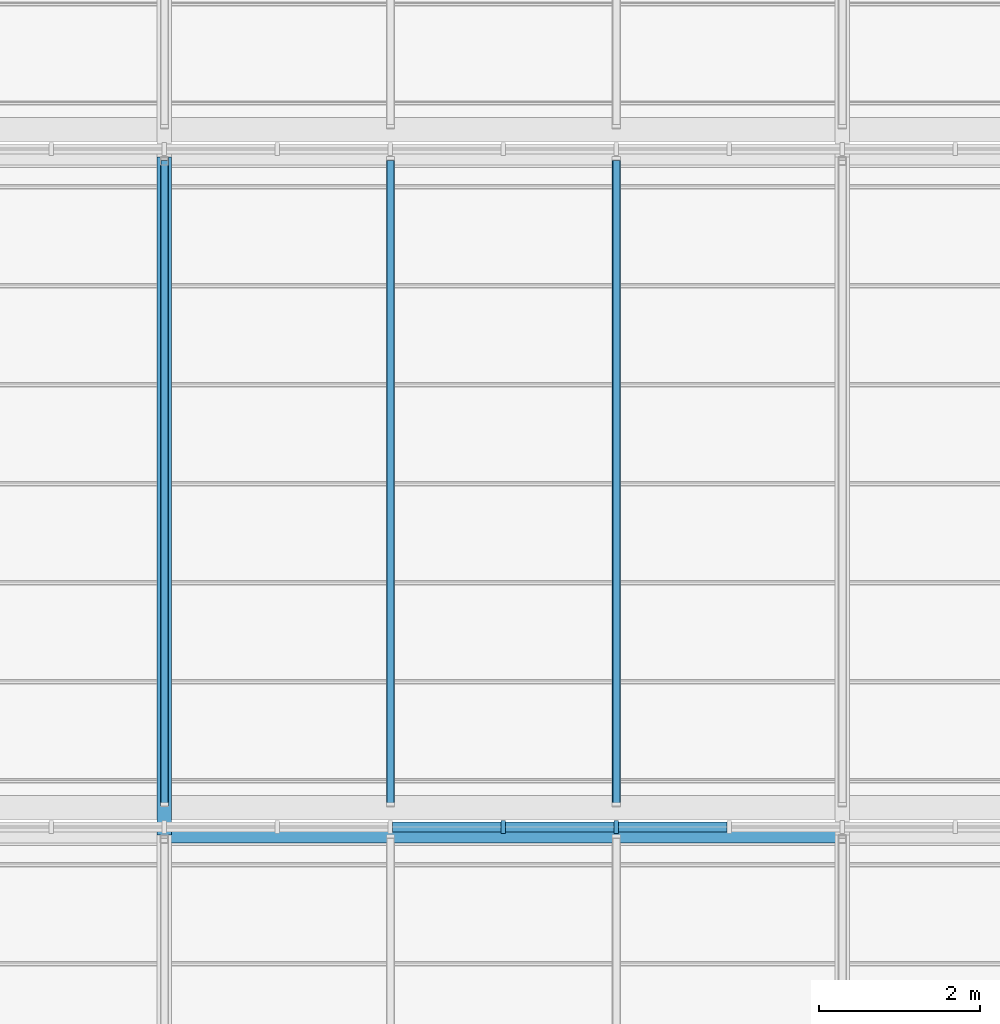
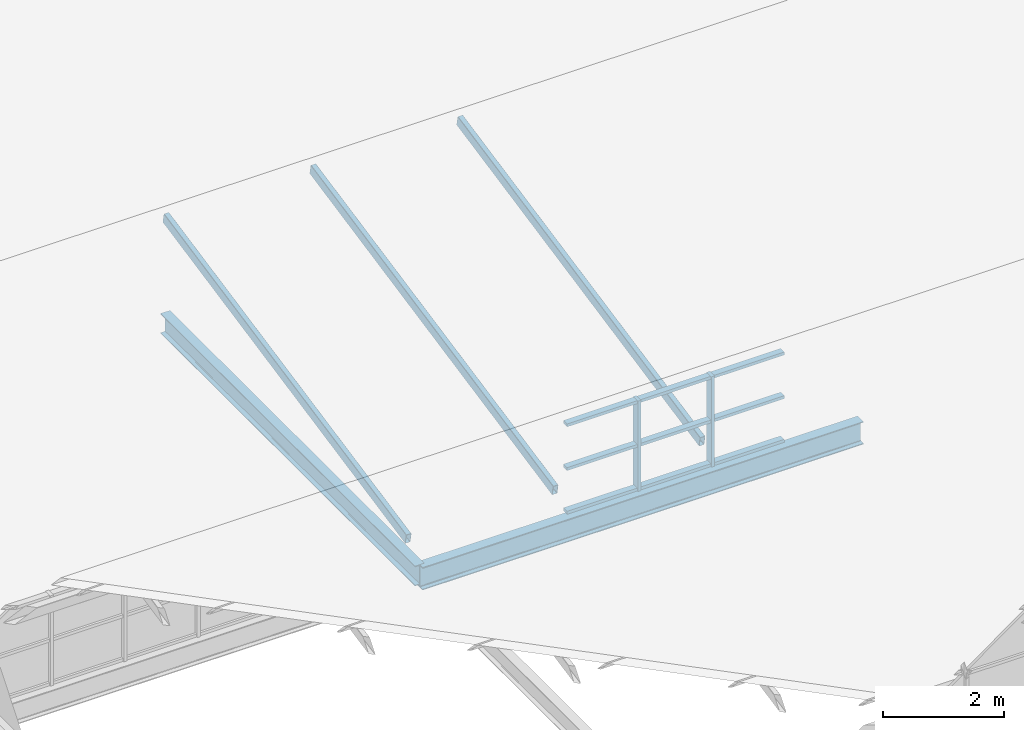
# One storey, part 14 of 121: 14 members, 2 beams, 1 element without a shape of its own.
"""IFC4 building model written with IfcOpenShell, lengths in metres."""

from ifc_helpers import new_model, si_unit, direction, frame, origin, origin_2d, place, context, subcontext, project, spatial, rectangle, hollow_rectangle, i_section, extrude, material, layer, layer_set, material_profile, profile_set, type_object, element, aggregate, save


model = new_model("IFC4")

# Units and contexts
model_context = context("Model", 3, precision=1e-05, world=origin(), true_north=direction((0.0, 1.0)))
body_context = subcontext(model_context, "Body", "Model", "MODEL_VIEW")
ifc_project = project(units=[si_unit("LENGTHUNIT", "METRE"), si_unit("AREAUNIT", "SQUARE_METRE"), si_unit("VOLUMEUNIT", "CUBIC_METRE"), si_unit("PLANEANGLEUNIT", "RADIAN"), si_unit("MASSUNIT", "GRAM", prefix="KILO")], contexts=[model_context])

# Site, building, storey
site_placement = place(None, origin())
site = spatial("IfcSite", under=ifc_project, at=site_placement, CompositionType="ELEMENT")
building_placement = place(site_placement, origin())
building = spatial("IfcBuilding", under=site, at=building_placement, Name="Ardhachandra Cancer Care Centre", CompositionType="ELEMENT")
storey_placement = place(building_placement, frame((0.0, 0.0, 9.0)))
storey = spatial("IfcBuildingStorey", under=building, at=storey_placement, Name="L02", CompositionType="ELEMENT", Elevation=9.0)

# Beams
ifc_material_1 = material(Name="Steel E350 (IS 2062)", Category="steel")
ifc_material_profile_1 = material_profile(ifc_material_1, i_section(OverallWidth=0.179931640625, OverallDepth=0.39990234375, WebThickness=0.008544921875, FlangeThickness=0.013427734375, FilletRadius=0.02099609375, at=origin_2d()), Name="NPB 400x180x66.30")
ifc_profile_set_1 = profile_set([ifc_material_profile_1], Name="Steel E350 (IS 2062)")
beam_type_1 = type_object("IfcBeamType", Name="Beam NPB 400x180x66.30", PredefinedType="BEAM", material=ifc_profile_set_1)
beam_1_placement = place(storey_placement, frame((19.199951171875, 46.199951171875, -0.199951171875), z_axis=(0.0, 1.0, 0.0), x_axis=(-1.0, 0.0, 0.0)))
element("IfcBeam", 1, at=beam_1_placement, inside=storey, type_object=beam_type_1, Name="Roof girder E2-F2", PredefinedType="BEAM", context=body_context, shape_type="SweptSolid", body=[
    extrude(i_section(OverallWidth=0.179931640625, OverallDepth=0.39990234375, WebThickness=0.008544921875, FlangeThickness=0.013427734375, FilletRadius=0.02099609375, at=origin_2d()), origin(), (0.0, 0.0, 1.0), 8.400146484375),
])
ifc_material_2 = material(Name="Steel E350 (IS 2062)", Category="steel")
ifc_material_profile_2 = material_profile(ifc_material_2, i_section(OverallWidth=0.19189453125, OverallDepth=0.4560546875, WebThickness=0.010986328125, FlangeThickness=0.017578125, FilletRadius=0.02099609375, at=origin_2d()), Name="NPB 450x190x92.36")
ifc_profile_set_2 = profile_set([ifc_material_profile_2], Name="Steel E350 (IS 2062)")
beam_type_2 = type_object("IfcBeamType", Name="Beam NPB 450x190x92.36", PredefinedType="BEAM", material=ifc_profile_set_2)
beam_2_placement = place(storey_placement, frame((19.199951171875, 46.199951171875, -0.22802734375), z_axis=(1.0, 0.0, 0.0), x_axis=(0.0, 1.0, 0.0)))
element("IfcBeam", 2, at=beam_2_placement, inside=storey, type_object=beam_type_2, Name="Roof girder E2-E3", PredefinedType="BEAM", context=body_context, shape_type="SweptSolid", body=[
    extrude(i_section(OverallWidth=0.19189453125, OverallDepth=0.4560546875, WebThickness=0.010986328125, FlangeThickness=0.017578125, FilletRadius=0.02099609375, at=origin_2d()), origin(), (0.0, 0.0, 1.0), 8.400146484375),
])

# Curtain wall, members
ifc_material_3 = material(Name="Aluminium extrusion", Category="aluminium")
ifc_layer = layer(ifc_material_3, 0.14990234375)
ifc_layer_set = layer_set([ifc_layer], Name="Aluminium extrusion")
curtain_wall_type = type_object("IfcCurtainWallType", Name="Curtain wall run", PredefinedType="NOTDEFINED", material=ifc_layer_set)
curtain_wall_placement = place(storey_placement, origin())
curtain_wall = element("IfcCurtainWall", 3, at=curtain_wall_placement, inside=storey, type_object=curtain_wall_type, Name="Curtain wall L02 n/0010800_0046300", PredefinedType="NOTDEFINED")
ifc_material_4 = material(Name="Aluminium extrusion", Category="aluminium")
ifc_material_profile_3 = material_profile(ifc_material_4, rectangle(XDim=0.159912109375, YDim=0.06005859375, at=origin_2d()), Name="Curtain wall mullion 60 x 160")
ifc_profile_set_3 = profile_set([ifc_material_profile_3], Name="Aluminium extrusion")
member_type_1 = type_object("IfcMemberType", Name="Curtain wall mullion 60 x 160", PredefinedType="MULLION", material=ifc_profile_set_3)
member_1_placement = place(storey_placement, frame((23.39990234375, 46.300048828125, 0.0), z_axis=(0.0, 0.0, 1.0), x_axis=(0.0, 1.0, 0.0)))
member_1 = element("IfcMember", 4, at=member_1_placement, type_object=member_type_1, Name="CW mullion 10", PredefinedType="MULLION", context=body_context, shape_type="SweptSolid", body=[
    extrude(rectangle(XDim=0.159912109375, YDim=0.06005859375, at=origin_2d()), origin(), (0.0, 0.0, 1.0), 1.820068359375),
])
member_2_placement = place(storey_placement, frame((24.800048828125, 46.300048828125, 0.0), z_axis=(0.0, 0.0, 1.0), x_axis=(0.0, 1.0, 0.0)))
member_2 = element("IfcMember", 5, at=member_2_placement, type_object=member_type_1, Name="CW mullion 11", PredefinedType="MULLION", context=body_context, shape_type="SweptSolid", body=[
    extrude(rectangle(XDim=0.159912109375, YDim=0.06005859375, at=origin_2d()), origin(), (0.0, 0.0, 1.0), 1.820068359375),
])
ifc_material_5 = material(Name="Aluminium extrusion", Category="aluminium")
ifc_material_profile_4 = material_profile(ifc_material_5, rectangle(XDim=0.1201171875, YDim=0.06005859375, at=origin_2d()), Name="Curtain wall transom 60 x 120")
ifc_profile_set_4 = profile_set([ifc_material_profile_4], Name="Aluminium extrusion")
member_type_2 = type_object("IfcMemberType", Name="Curtain wall transom 60 x 120", PredefinedType="USERDEFINED", material=ifc_profile_set_4)
member_3_placement = place(storey_placement, frame((22.030029296875, 46.300048828125, 0.030029296875), z_axis=(1.0, 0.0, 0.0), x_axis=(0.0, 1.0, 0.0)))
member_3 = element("IfcMember", 6, at=member_3_placement, type_object=member_type_2, Name="CW transom 9.1", ObjectType="TRANSOM", PredefinedType="USERDEFINED", context=body_context, shape_type="SweptSolid", body=[
    extrude(rectangle(XDim=0.1201171875, YDim=0.06005859375, at=origin_2d()), origin(), (0.0, 0.0, 1.0), 1.340087890625),
])
member_4_placement = place(storey_placement, frame((22.030029296875, 46.300048828125, 0.909912109375), z_axis=(1.0, 0.0, 0.0), x_axis=(0.0, 1.0, 0.0)))
member_4 = element("IfcMember", 7, at=member_4_placement, type_object=member_type_2, Name="CW transom 9.2", ObjectType="TRANSOM", PredefinedType="USERDEFINED", context=body_context, shape_type="SweptSolid", body=[
    extrude(rectangle(XDim=0.1201171875, YDim=0.06005859375, at=origin_2d()), origin(), (0.0, 0.0, 1.0), 1.340087890625),
])
member_5_placement = place(storey_placement, frame((22.030029296875, 46.300048828125, 1.7900390625), z_axis=(1.0, 0.0, 0.0), x_axis=(0.0, 1.0, 0.0)))
member_5 = element("IfcMember", 8, at=member_5_placement, type_object=member_type_2, Name="CW transom 9.3", ObjectType="TRANSOM", PredefinedType="USERDEFINED", context=body_context, shape_type="SweptSolid", body=[
    extrude(rectangle(XDim=0.1201171875, YDim=0.06005859375, at=origin_2d()), origin(), (0.0, 0.0, 1.0), 1.340087890625),
])
member_6_placement = place(storey_placement, frame((23.429931640625, 46.300048828125, 0.030029296875), z_axis=(1.0, 0.0, 0.0), x_axis=(0.0, 1.0, 0.0)))
member_6 = element("IfcMember", 9, at=member_6_placement, type_object=member_type_2, Name="CW transom 10.1", ObjectType="TRANSOM", PredefinedType="USERDEFINED", context=body_context, shape_type="SweptSolid", body=[
    extrude(rectangle(XDim=0.1201171875, YDim=0.06005859375, at=origin_2d()), origin(), (0.0, 0.0, 1.0), 1.340087890625),
])
member_7_placement = place(storey_placement, frame((23.429931640625, 46.300048828125, 0.909912109375), z_axis=(1.0, 0.0, 0.0), x_axis=(0.0, 1.0, 0.0)))
member_7 = element("IfcMember", 10, at=member_7_placement, type_object=member_type_2, Name="CW transom 10.2", ObjectType="TRANSOM", PredefinedType="USERDEFINED", context=body_context, shape_type="SweptSolid", body=[
    extrude(rectangle(XDim=0.1201171875, YDim=0.06005859375, at=origin_2d()), origin(), (0.0, 0.0, 1.0), 1.340087890625),
])
member_8_placement = place(storey_placement, frame((23.429931640625, 46.300048828125, 1.7900390625), z_axis=(1.0, 0.0, 0.0), x_axis=(0.0, 1.0, 0.0)))
member_8 = element("IfcMember", 11, at=member_8_placement, type_object=member_type_2, Name="CW transom 10.3", ObjectType="TRANSOM", PredefinedType="USERDEFINED", context=body_context, shape_type="SweptSolid", body=[
    extrude(rectangle(XDim=0.1201171875, YDim=0.06005859375, at=origin_2d()), origin(), (0.0, 0.0, 1.0), 1.340087890625),
])
member_9_placement = place(storey_placement, frame((24.830078125, 46.300048828125, 0.030029296875), z_axis=(1.0, 0.0, 0.0), x_axis=(0.0, 1.0, 0.0)))
member_9 = element("IfcMember", 12, at=member_9_placement, type_object=member_type_2, Name="CW transom 11.1", ObjectType="TRANSOM", PredefinedType="USERDEFINED", context=body_context, shape_type="SweptSolid", body=[
    extrude(rectangle(XDim=0.1201171875, YDim=0.06005859375, at=origin_2d()), origin(), (0.0, 0.0, 1.0), 1.33984375),
])
member_10_placement = place(storey_placement, frame((24.830078125, 46.300048828125, 0.909912109375), z_axis=(1.0, 0.0, 0.0), x_axis=(0.0, 1.0, 0.0)))
member_10 = element("IfcMember", 13, at=member_10_placement, type_object=member_type_2, Name="CW transom 11.2", ObjectType="TRANSOM", PredefinedType="USERDEFINED", context=body_context, shape_type="SweptSolid", body=[
    extrude(rectangle(XDim=0.1201171875, YDim=0.06005859375, at=origin_2d()), origin(), (0.0, 0.0, 1.0), 1.33984375),
])
member_11_placement = place(storey_placement, frame((24.830078125, 46.300048828125, 1.7900390625), z_axis=(1.0, 0.0, 0.0), x_axis=(0.0, 1.0, 0.0)))
member_11 = element("IfcMember", 14, at=member_11_placement, type_object=member_type_2, Name="CW transom 11.3", ObjectType="TRANSOM", PredefinedType="USERDEFINED", context=body_context, shape_type="SweptSolid", body=[
    extrude(rectangle(XDim=0.1201171875, YDim=0.06005859375, at=origin_2d()), origin(), (0.0, 0.0, 1.0), 1.33984375),
])
aggregate(curtain_wall, [member_1, member_2, member_3, member_4, member_5, member_6, member_7, member_8, member_9, member_10, member_11])

# Members
ifc_material_6 = material(Name="Steel E350 (IS 2062)", Category="steel")
ifc_material_profile_5 = material_profile(ifc_material_6, hollow_rectangle(XDim=0.10009765625, YDim=0.199951171875, WallThickness=0.006103515625, InnerFilletRadius=0.006103515625, OuterFilletRadius=0.011962890625, at=origin_2d()), Name="RHS 200x100x6.0")
ifc_profile_set_5 = profile_set([ifc_material_profile_5], Name="Steel E350 (IS 2062)")
member_type_3 = type_object("IfcMemberType", Name="Roof rafter RHS 200x100x6.0", PredefinedType="RAFTER", material=ifc_profile_set_5)
for number, where, z_axis, x_axis, name in (
    (15, (19.199951171875, 46.580078125, 0.298095703125), (0.0, 0.980109665583, 0.198456653782), (-1.0, 0.0, 0.0), "Rafter T3a.4"),
    (16, (22.0, 46.580078125, 0.298095703125), (0.0, 0.980109665583, 0.198456653782), (-1.0, 0.0, 0.0), "Rafter T3a.5"),
    (17, (24.800048828125, 46.580078125, 0.298095703125), (0.0, 0.980109665583, 0.198456653782), (-1.0, 0.0, 0.0), "Rafter T3a.6"),
):
    element("IfcMember", number, at=place(storey_placement, frame(where, z_axis=z_axis, x_axis=x_axis)), inside=storey, type_object=member_type_3, Name=name, PredefinedType="RAFTER", context=body_context, shape_type="SweptSolid", body=[
        extrude(hollow_rectangle(XDim=0.10009765625, YDim=0.199951171875, WallThickness=0.006103515625, InnerFilletRadius=0.006103515625, OuterFilletRadius=0.011962890625, at=origin_2d()), origin(), (0.0, 0.0, 1.0), 8.162353515625),
    ])

save(model, "model.ifc")
